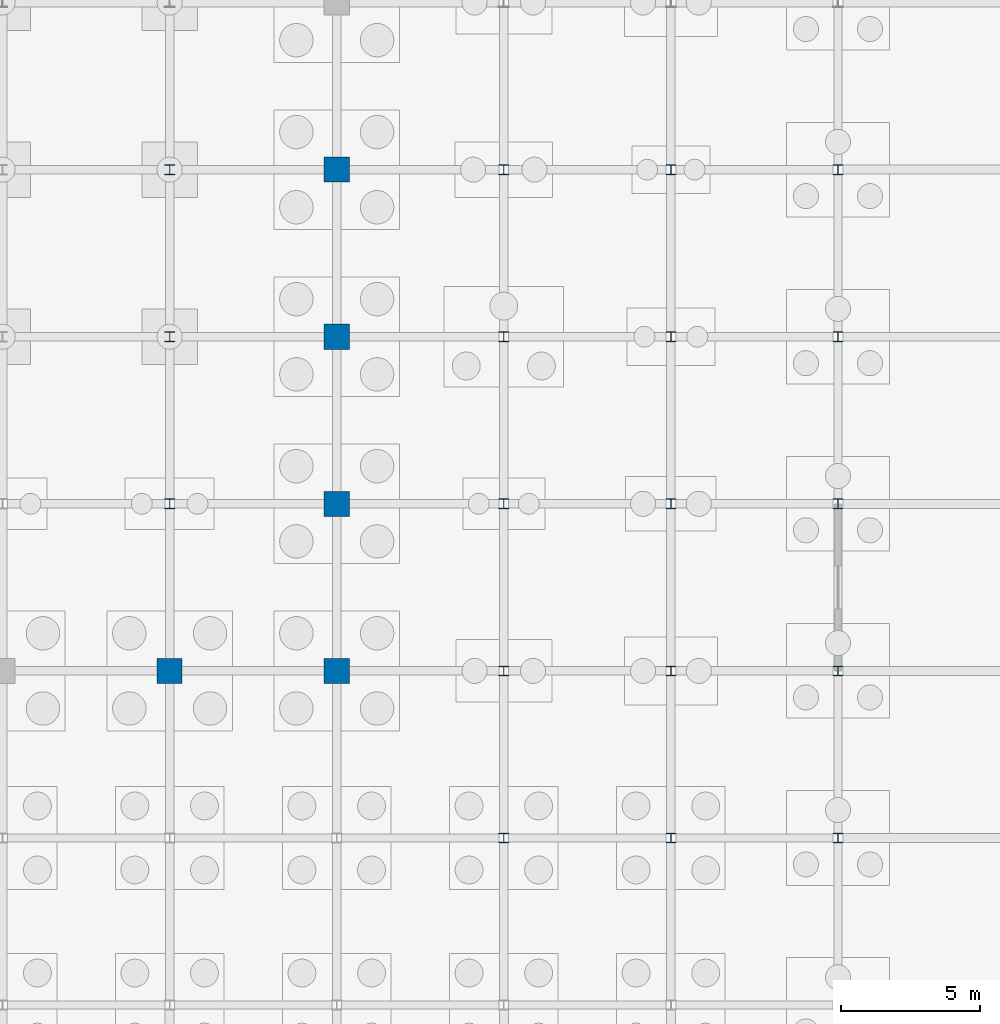
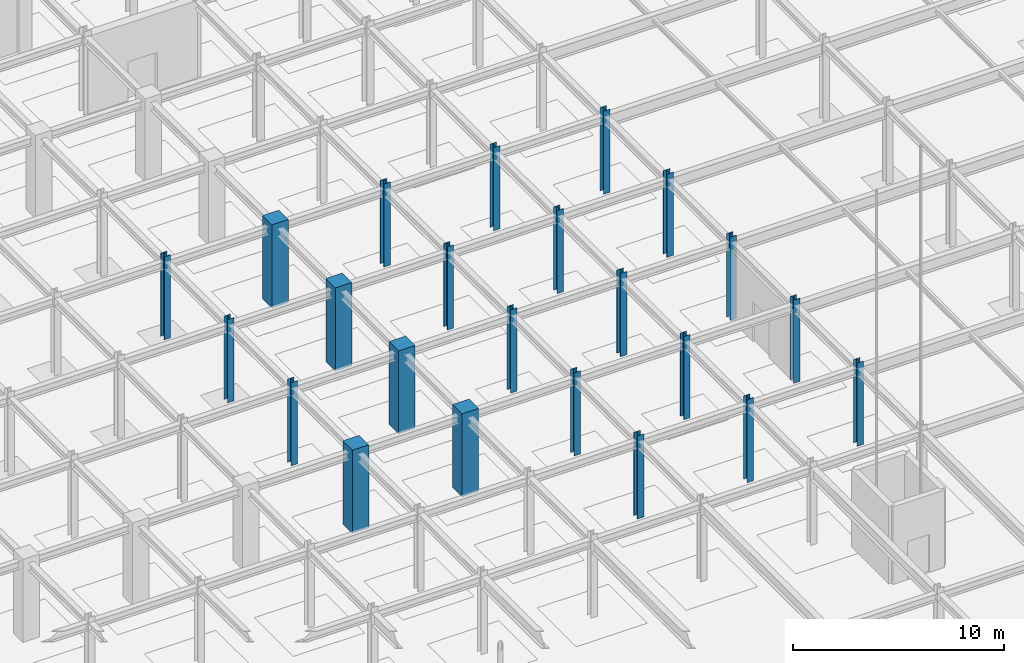
# One storey, part 20 of 69: 23 columns.
"""IFC4 building model written with IfcOpenShell, lengths in metres."""

import ifcopenshell
import ifcopenshell.guid

model = None  # the IFC model being written
_history = None  # IfcOwnerHistory: only IFC2X3 demands one
_inside = {}  # id of a spatial element -> (the spatial element, [elements in it])
_under = {}  # id of a project, library or spatial element -> (it, [spatial elements below it])
_declared = {}  # id of a project -> (the project, [libraries it declares])
_typed = {}  # id of a type object -> (the type object, [elements of that type])
_made_of = {}  # id of a material, layer set ... -> (it, [elements and type objects made of it])


def new_model(schema):
    """Start an empty IFC model of exactly this schema.

    Asked for "IFC4X3", IfcOpenShell would pick the latest addendum, in which some entities
    have other attributes; the version numbers below select the first issue.
    IFC2X3 requires an IfcOwnerHistory on every rooted entity: one is made here for all.
    """
    global model, _history
    if schema == "IFC4X3":
        model = ifcopenshell.file(schema_version=(4, 3, 0, 0))
    else:
        model = ifcopenshell.file(schema=schema)
    _inside.clear()
    _under.clear()
    _declared.clear()
    _typed.clear()
    _made_of.clear()
    _history = None
    if model.schema == "IFC2X3":
        org = make("IfcOrganization", Name="unknown")
        user = make(
            "IfcPersonAndOrganization",
            ThePerson=make("IfcPerson", FamilyName="unknown"),
            TheOrganization=org,
        )
        app = make(
            "IfcApplication",
            ApplicationDeveloper=org,
            Version="unknown",
            ApplicationFullName="unknown",
            ApplicationIdentifier="unknown",
        )
        _history = make(
            "IfcOwnerHistory",
            OwningUser=user,
            OwningApplication=app,
            ChangeAction="ADDED",
            CreationDate=0,
        )
    return model


def make(cls, **values):
    """One entity of the class cls with the attributes given. An attribute that is None is left unset."""
    return model.create_entity(
        cls, **{name: value for name, value in values.items() if value is not None}
    )


def rooted(cls, **values):
    """An entity with a GlobalId (a new one), such as an element, a storey or a relation."""
    return make(cls, GlobalId=ifcopenshell.guid.new(), OwnerHistory=_history, **values)


def si_unit(unit_type, name, prefix=None):
    """IfcSIUnit, for example si_unit("LENGTHUNIT", "METRE", prefix="MILLI")."""
    return make("IfcSIUnit", UnitType=unit_type, Prefix=prefix, Name=name)


def assignment(units):
    """IfcUnitAssignment: the units of a project."""
    return None if units is None else make("IfcUnitAssignment", Units=units)


def point(xyz):
    """IfcCartesianPoint."""
    return None if xyz is None else make("IfcCartesianPoint", Coordinates=xyz)


def direction(xyz):
    """IfcDirection."""
    return None if xyz is None else make("IfcDirection", DirectionRatios=xyz)


def frame(location, z_axis=None, x_axis=None):
    """IfcAxis2Placement3D, a coordinate frame: its origin and axes. An axis left out is left unset."""
    return make(
        "IfcAxis2Placement3D",
        Location=point(location),
        Axis=direction(z_axis),
        RefDirection=direction(x_axis),
    )


def frame_2d(location, x_axis=None):
    """IfcAxis2Placement2D, a coordinate frame in the plane: its origin and x axis."""
    return make(
        "IfcAxis2Placement2D", Location=point(location), RefDirection=direction(x_axis)
    )


def origin():
    """The frame at (0, 0, 0) with its axes left unset."""
    return frame((0.0, 0.0, 0.0))


def origin_2d():
    """The frame at (0, 0) in the plane with its x axis left unset."""
    return frame_2d((0.0, 0.0))


def place(relative_to, where):
    """IfcLocalPlacement: puts the frame where relative to a parent placement (None: the world)."""
    return make(
        "IfcLocalPlacement", PlacementRelTo=relative_to, RelativePlacement=where
    )


def context(
    kind, dimensions, precision=None, world=None, true_north=None, identifier=None
):
    """IfcGeometricRepresentationContext, for example the 3D "Model" context."""
    return make(
        "IfcGeometricRepresentationContext",
        ContextIdentifier=identifier,
        ContextType=kind,
        CoordinateSpaceDimension=dimensions,
        Precision=precision,
        WorldCoordinateSystem=world,
        TrueNorth=true_north,
    )


def subcontext(parent, identifier, kind, view, scale=None):
    """IfcGeometricRepresentationSubContext, for example "Body" below "Model"."""
    return make(
        "IfcGeometricRepresentationSubContext",
        ContextIdentifier=identifier,
        ContextType=kind,
        ParentContext=parent,
        TargetScale=scale,
        TargetView=view,
    )


def project(units=None, contexts=None):
    """IfcProject with its units and contexts."""
    return rooted(
        "IfcProject",
        Name="project",
        RepresentationContexts=contexts,
        UnitsInContext=assignment(units),
    )


def spatial(cls, under=None, at=None, **own):
    """A site, building, storey or space (cls), placed at a placement, below another one or the project."""
    s = rooted(cls, ObjectPlacement=at, **own)
    if under is not None:
        _under.setdefault(under.id(), (under, []))[1].append(s)
    return s


def profile(cls, at=None, kind="AREA", **sizes):
    """A parametric profile (cls). Its sizes go by their IFC names, for example OverallWidth=200.0."""
    return make(cls, ProfileType=kind, Position=at, **sizes)


def rectangle(**sizes):
    """IfcRectangleProfileDef."""
    return profile("IfcRectangleProfileDef", **sizes)


def i_section(**sizes):
    """IfcIShapeProfileDef."""
    return profile("IfcIShapeProfileDef", **sizes)


def extrude(swept, where, along, depth):
    """IfcExtrudedAreaSolid: the profile swept, set in the frame where, extruded along a direction by depth."""
    return make(
        "IfcExtrudedAreaSolid",
        SweptArea=swept,
        Position=where,
        ExtrudedDirection=direction(along),
        Depth=depth,
    )


def shape(context_of_items, identifier, shape_type, items):
    """IfcShapeRepresentation: the items that make up one representation, for example the "Body"."""
    return make(
        "IfcShapeRepresentation",
        ContextOfItems=context_of_items,
        RepresentationIdentifier=identifier,
        RepresentationType=shape_type,
        Items=items,
    )


def material(Name=None, Category=None):
    """IfcMaterial."""
    return make("IfcMaterial", Name=Name, Category=Category)


def material_profile(
    of_material, cross_section, Name=None, Category=None, Priority=None
):
    """IfcMaterialProfile: a cross section and its material."""
    return make(
        "IfcMaterialProfile",
        Name=Name,
        Material=of_material,
        Profile=cross_section,
        Priority=Priority,
        Category=Category,
    )


def profile_set(profiles, Name=None, composite=None):
    """IfcMaterialProfileSet."""
    return make(
        "IfcMaterialProfileSet",
        Name=Name,
        MaterialProfiles=profiles,
        CompositeProfile=composite,
    )


def made_of(thing, what):
    """Note that an element or type object is made of a material, layer set ...; save() writes the relation."""
    if what is not None:
        _made_of.setdefault(what.id(), (what, []))[1].append(thing)
    return thing


def type_object(cls, material=None, **own):
    """A type object (cls), such as IfcWallType, which elements share."""
    return made_of(rooted(cls, **own), material)


def element(
    cls,
    number,
    at=None,
    inside=None,
    cuts=None,
    type_object=None,
    material=None,
    context=None,
    identifier="Body",
    shape_type=None,
    held_by="IfcProductDefinitionShape",
    body=None,
    shapes=None,
    **own,
):
    """One element of the class cls, such as IfcWall. Its Tag is "e" and its number.

    at: its placement. inside: the storey or other place that contains it. cuts: it is an
    opening in that element (IfcRelVoidsElement). A single representation is given by context,
    identifier, shape_type and body (its items); several are given by shapes. held_by: the class
    of the entity that holds the representations. save() writes the other relations.
    """
    e = rooted(cls, Tag="e%d" % number, ObjectPlacement=at, **own)
    if body is not None:
        shapes = [shape(context, identifier, shape_type, body)]
    if shapes is not None:
        e.Representation = make(held_by, Representations=shapes)
    if inside is not None:
        _inside.setdefault(inside.id(), (inside, []))[1].append(e)
    if cuts is not None:
        rooted(
            "IfcRelVoidsElement", RelatingBuildingElement=cuts, RelatedOpeningElement=e
        )
    if type_object is not None:
        _typed.setdefault(type_object.id(), (type_object, []))[1].append(e)
    return made_of(e, material)


def aggregate(whole, parts):
    """IfcRelAggregates: a whole, such as a stair, and the parts it consists of."""
    return rooted("IfcRelAggregates", RelatingObject=whole, RelatedObjects=parts)


def save(model, path):
    """Write the relations noted so far, then the file.

    IfcRelAggregates (storeys below a building ...), IfcRelContainedInSpatialStructure (elements
    in a storey), IfcRelDefinesByType, IfcRelAssociatesMaterial and IfcRelDeclares: one each for
    every whole, place, type object, material and project.
    """
    for whole, parts in _under.values():
        aggregate(whole, parts)
    for where, things in _inside.values():
        rooted(
            "IfcRelContainedInSpatialStructure",
            RelatedElements=things,
            RelatingStructure=where,
        )
    for kind, things in _typed.values():
        rooted("IfcRelDefinesByType", RelatedObjects=things, RelatingType=kind)
    for what, things in _made_of.values():
        rooted("IfcRelAssociatesMaterial", RelatedObjects=things, RelatingMaterial=what)
    for by, libraries in _declared.values():
        rooted("IfcRelDeclares", RelatingContext=by, RelatedDefinitions=libraries)
    model.write(path)


model = new_model("IFC4")

# Units and contexts
model_context = context("Model", 3, precision=1e-05, world=origin(), true_north=direction((0.0, 1.0)))
body_context = subcontext(model_context, "Body", "Model", "MODEL_VIEW")
ifc_project = project(units=[si_unit("LENGTHUNIT", "METRE"), si_unit("AREAUNIT", "SQUARE_METRE"), si_unit("VOLUMEUNIT", "CUBIC_METRE"), si_unit("PLANEANGLEUNIT", "RADIAN"), si_unit("MASSUNIT", "GRAM", prefix="KILO")], contexts=[model_context])

# Site, building, storey
site_placement = place(None, origin())
site = spatial("IfcSite", under=ifc_project, at=site_placement, CompositionType="ELEMENT")
building_placement = place(site_placement, origin())
building = spatial("IfcBuilding", under=site, at=building_placement, Name="Zlatovratsky Civic Hall", CompositionType="ELEMENT")
storey_placement = place(building_placement, frame((0.0, 0.0, -4.800048828125)))
storey = spatial("IfcBuildingStorey", under=building, at=storey_placement, Name="B1", CompositionType="ELEMENT", Elevation=-4.800048828125)

# Columns
ifc_material_1 = material(Name="Concrete C35/45 (B40)", Category="concrete")
ifc_material_profile_1 = material_profile(ifc_material_1, rectangle(XDim=0.89990234375, YDim=0.89990234375, at=origin_2d()), Name="RC 900x900")
ifc_profile_set_1 = profile_set([ifc_material_profile_1], Name="Concrete C35/45 (B40)")
column_type_1 = type_object("IfcColumnType", Name="Col_ChamberPier_RC900", PredefinedType="COLUMN", material=ifc_profile_set_1)
for number, where, z_axis, x_axis, name in (
    (1, (96.0, 42.0, 0.0), (0.0, 0.0, 1.0), (1.0, 0.0, 0.0), "CL-0131"),
    (2, (102.0, 42.0, 0.0), (0.0, 0.0, 1.0), (1.0, 0.0, 0.0), "CL-0132"),
    (3, (102.0, 48.0, 0.0), (0.0, 0.0, 1.0), (1.0, 0.0, 0.0), "CL-0155"),
    (4, (102.0, 54.0, 0.0), (0.0, 0.0, 1.0), (1.0, 0.0, 0.0), "CL-0178"),
    (5, (102.0, 60.0, 0.0), (0.0, 0.0, 1.0), (1.0, 0.0, 0.0), "CL-0201"),
):
    element("IfcColumn", number, at=place(storey_placement, frame(where, z_axis=z_axis, x_axis=x_axis)), inside=storey, type_object=column_type_1, Name=name, PredefinedType="COLUMN", context=body_context, shape_type="SweptSolid", body=[
        extrude(rectangle(XDim=0.89990234375, YDim=0.89990234375, at=origin_2d()), origin(), (0.0, 0.0, 1.0), 4.800048828125),
    ])
ifc_material_2 = material(Name="Steel S355", Category="steel")
ifc_material_profile_2 = material_profile(ifc_material_2, i_section(OverallWidth=0.35009765625, OverallDepth=0.35009765625, WebThickness=0.011962890625, FlangeThickness=0.01904296875, FilletRadius=0.02001953125, at=origin_2d()), Name="35K2")
ifc_profile_set_2 = profile_set([ifc_material_profile_2], Name="Steel S355")
column_type_2 = type_object("IfcColumnType", Name="Col_Steel_35K2", PredefinedType="COLUMN", material=ifc_profile_set_2)
for number, where, z_axis, x_axis, name in (
    (6, (108.0, 36.0, 0.0), (0.0, 0.0, 1.0), (1.0, 0.0, 0.0), "CL-0110"),
    (7, (114.0, 36.0, 0.0), (0.0, 0.0, 1.0), (1.0, 0.0, 0.0), "CL-0111"),
    (8, (120.0, 36.0, 0.0), (0.0, 0.0, 1.0), (1.0, 0.0, 0.0), "CL-0112"),
    (9, (108.0, 42.0, 0.0), (0.0, 0.0, 1.0), (1.0, 0.0, 0.0), "CL-0133"),
    (10, (114.0, 42.0, 0.0), (0.0, 0.0, 1.0), (1.0, 0.0, 0.0), "CL-0134"),
    (11, (120.0, 42.0, 0.0), (0.0, 0.0, 1.0), (1.0, 0.0, 0.0), "CL-0135"),
    (12, (96.0, 48.0, 0.0), (0.0, 0.0, 1.0), (1.0, 0.0, 0.0), "CL-0154"),
    (13, (108.0, 48.0, 0.0), (0.0, 0.0, 1.0), (1.0, 0.0, 0.0), "CL-0156"),
    (14, (114.0, 48.0, 0.0), (0.0, 0.0, 1.0), (1.0, 0.0, 0.0), "CL-0157"),
    (15, (120.0, 48.0, 0.0), (0.0, 0.0, 1.0), (1.0, 0.0, 0.0), "CL-0158"),
    (16, (96.0, 54.0, 0.0), (0.0, 0.0, 1.0), (1.0, 0.0, 0.0), "CL-0177"),
    (17, (108.0, 54.0, 0.0), (0.0, 0.0, 1.0), (1.0, 0.0, 0.0), "CL-0179"),
    (18, (114.0, 54.0, 0.0), (0.0, 0.0, 1.0), (1.0, 0.0, 0.0), "CL-0180"),
    (19, (120.0, 54.0, 0.0), (0.0, 0.0, 1.0), (1.0, 0.0, 0.0), "CL-0181"),
    (20, (96.0, 60.0, 0.0), (0.0, 0.0, 1.0), (1.0, 0.0, 0.0), "CL-0200"),
    (21, (108.0, 60.0, 0.0), (0.0, 0.0, 1.0), (1.0, 0.0, 0.0), "CL-0202"),
    (22, (114.0, 60.0, 0.0), (0.0, 0.0, 1.0), (1.0, 0.0, 0.0), "CL-0203"),
    (23, (120.0, 60.0, 0.0), (0.0, 0.0, 1.0), (1.0, 0.0, 0.0), "CL-0204"),
):
    element("IfcColumn", number, at=place(storey_placement, frame(where, z_axis=z_axis, x_axis=x_axis)), inside=storey, type_object=column_type_2, Name=name, PredefinedType="COLUMN", context=body_context, shape_type="SweptSolid", body=[
        extrude(i_section(OverallWidth=0.35009765625, OverallDepth=0.35009765625, WebThickness=0.011962890625, FlangeThickness=0.01904296875, FilletRadius=0.02001953125, at=origin_2d()), origin(), (0.0, 0.0, 1.0), 4.800048828125),
    ])

save(model, "model.ifc")
